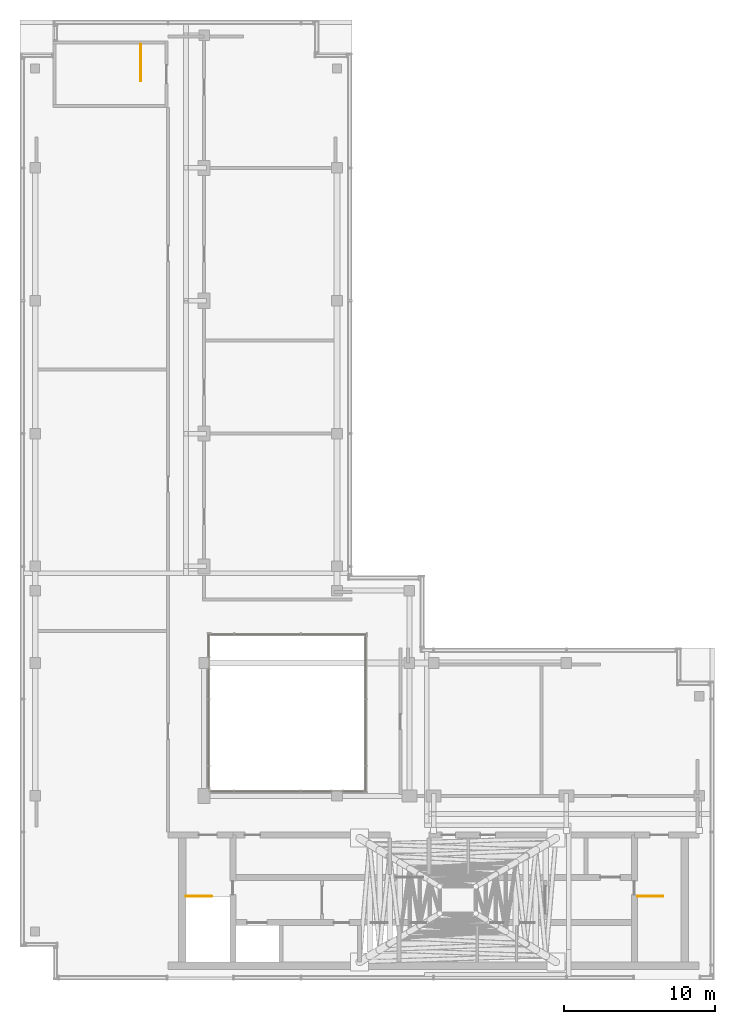
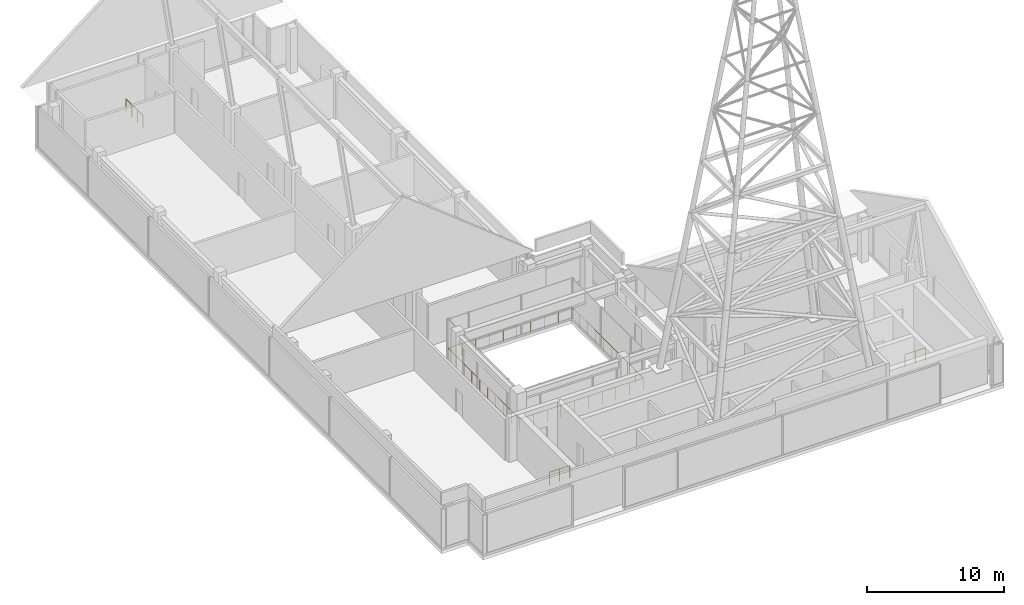
# One storey, part 13 of 13: 4 railings.
"""IFC4 building model written with IfcOpenShell, lengths in metres."""

from ifc_helpers import new_model, si_unit, direction, frame, origin, origin_2d, place, context, subcontext, project, spatial, circle, extrude, material, type_object, element, save


model = new_model("IFC4")

# Units and contexts
model_context = context("Model", 3, precision=1e-05, world=origin(), true_north=direction((0.0, 1.0)))
body_context = subcontext(model_context, "Body", "Model", "MODEL_VIEW")
ifc_project = project(units=[si_unit("LENGTHUNIT", "METRE"), si_unit("AREAUNIT", "SQUARE_METRE"), si_unit("VOLUMEUNIT", "CUBIC_METRE"), si_unit("PLANEANGLEUNIT", "RADIAN"), si_unit("MASSUNIT", "GRAM", prefix="KILO")], contexts=[model_context])

# Site, building, storey
site_placement = place(None, origin())
site = spatial("IfcSite", under=ifc_project, at=site_placement, CompositionType="ELEMENT")
building_placement = place(site_placement, origin())
building = spatial("IfcBuilding", under=site, at=building_placement, Name="Kemantara Hotel Tower", CompositionType="ELEMENT")
storey_placement = place(building_placement, frame((0.0, 0.0, 330.199951171875)))
storey = spatial("IfcBuildingStorey", under=building, at=storey_placement, Name="L83", CompositionType="ELEMENT", Elevation=330.199951171875)

# Railings
ifc_material = material(Name="Stainless steel balustrade", Category="steel")
railing_type_1 = type_object("IfcRailingType", Name="STAINLESS STEEL GUARD 1100", PredefinedType="GUARDRAIL", material=ifc_material)
railing_1_placement = place(storey_placement, frame((12.5, 12.5, 0.0)))
element("IfcRailing", 1, at=railing_1_placement, inside=storey, type_object=railing_type_1, Name="ATRIUM GUARD", PredefinedType="GUARDRAIL", context=body_context, shape_type="SweptSolid", body=[
    extrude(circle(Radius=0.02392578125, at=origin_2d()), frame((0.0, 0.0, 1.076171875), z_axis=(1.0, 0.0, 0.0), x_axis=(0.0, 1.0, 0.0)), (0.0, 0.0, 1.0), 10.39990234375),
    extrude(circle(Radius=0.02392578125, at=origin_2d()), frame((10.39990234375, 0.0, 1.076171875), z_axis=(0.0, 1.0, 0.0), x_axis=(-1.0, 0.0, 0.0)), (0.0, 0.0, 1.0), 10.39990234375),
    extrude(circle(Radius=0.02392578125, at=origin_2d()), frame((10.39990234375, 10.39990234375, 1.076171875), z_axis=(-1.0, 0.0, 0.0), x_axis=(0.0, -1.0, 0.0)), (0.0, 0.0, 1.0), 10.39990234375),
    extrude(circle(Radius=0.02392578125, at=origin_2d()), frame((0.0, 10.39990234375, 1.076171875), z_axis=(0.0, -1.0, 0.0), x_axis=(1.0, 0.0, 0.0)), (0.0, 0.0, 1.0), 10.39990234375),
    extrude(circle(Radius=0.02099609375, at=origin_2d()), origin(), (0.0, 0.0, 1.0), 1.052001953125),
    extrude(circle(Radius=0.02099609375, at=origin_2d()), frame((1.155517578125, 0.0, 0.0)), (0.0, 0.0, 1.0), 1.052001953125),
    extrude(circle(Radius=0.02099609375, at=origin_2d()), frame((2.31103515625, 0.0, 0.0)), (0.0, 0.0, 1.0), 1.052001953125),
    extrude(circle(Radius=0.02099609375, at=origin_2d()), frame((3.466552734375, 0.0, 0.0)), (0.0, 0.0, 1.0), 1.052001953125),
    extrude(circle(Radius=0.02099609375, at=origin_2d()), frame((4.6220703125, 0.0, 0.0)), (0.0, 0.0, 1.0), 1.052001953125),
    extrude(circle(Radius=0.02099609375, at=origin_2d()), frame((5.77783203125, 0.0, 0.0)), (0.0, 0.0, 1.0), 1.052001953125),
    extrude(circle(Radius=0.02099609375, at=origin_2d()), frame((6.933349609375, 0.0, 0.0)), (0.0, 0.0, 1.0), 1.052001953125),
    extrude(circle(Radius=0.02099609375, at=origin_2d()), frame((8.0888671875, 0.0, 0.0)), (0.0, 0.0, 1.0), 1.052001953125),
    extrude(circle(Radius=0.02099609375, at=origin_2d()), frame((9.244384765625, 0.0, 0.0)), (0.0, 0.0, 1.0), 1.052001953125),
    extrude(circle(Radius=0.02099609375, at=origin_2d()), frame((10.39990234375, 0.0, 0.0)), (0.0, 0.0, 1.0), 1.052001953125),
    extrude(circle(Radius=0.02099609375, at=origin_2d()), frame((10.39990234375, 1.155517578125, 0.0)), (0.0, 0.0, 1.0), 1.052001953125),
    extrude(circle(Radius=0.02099609375, at=origin_2d()), frame((10.39990234375, 2.31103515625, 0.0)), (0.0, 0.0, 1.0), 1.052001953125),
    extrude(circle(Radius=0.02099609375, at=origin_2d()), frame((10.39990234375, 3.466552734375, 0.0)), (0.0, 0.0, 1.0), 1.052001953125),
    extrude(circle(Radius=0.02099609375, at=origin_2d()), frame((10.39990234375, 4.6220703125, 0.0)), (0.0, 0.0, 1.0), 1.052001953125),
    extrude(circle(Radius=0.02099609375, at=origin_2d()), frame((10.39990234375, 5.77783203125, 0.0)), (0.0, 0.0, 1.0), 1.052001953125),
    extrude(circle(Radius=0.02099609375, at=origin_2d()), frame((10.39990234375, 6.933349609375, 0.0)), (0.0, 0.0, 1.0), 1.052001953125),
    extrude(circle(Radius=0.02099609375, at=origin_2d()), frame((10.39990234375, 8.0888671875, 0.0)), (0.0, 0.0, 1.0), 1.052001953125),
    extrude(circle(Radius=0.02099609375, at=origin_2d()), frame((10.39990234375, 9.244384765625, 0.0)), (0.0, 0.0, 1.0), 1.052001953125),
    extrude(circle(Radius=0.02099609375, at=origin_2d()), frame((10.39990234375, 10.39990234375, 0.0)), (0.0, 0.0, 1.0), 1.052001953125),
    extrude(circle(Radius=0.02099609375, at=origin_2d()), frame((9.244384765625, 10.39990234375, 0.0)), (0.0, 0.0, 1.0), 1.052001953125),
    extrude(circle(Radius=0.02099609375, at=origin_2d()), frame((8.0888671875, 10.39990234375, 0.0)), (0.0, 0.0, 1.0), 1.052001953125),
    extrude(circle(Radius=0.02099609375, at=origin_2d()), frame((6.933349609375, 10.39990234375, 0.0)), (0.0, 0.0, 1.0), 1.052001953125),
    extrude(circle(Radius=0.02099609375, at=origin_2d()), frame((5.77783203125, 10.39990234375, 0.0)), (0.0, 0.0, 1.0), 1.052001953125),
    extrude(circle(Radius=0.02099609375, at=origin_2d()), frame((4.6220703125, 10.39990234375, 0.0)), (0.0, 0.0, 1.0), 1.052001953125),
    extrude(circle(Radius=0.02099609375, at=origin_2d()), frame((3.466552734375, 10.39990234375, 0.0)), (0.0, 0.0, 1.0), 1.052001953125),
    extrude(circle(Radius=0.02099609375, at=origin_2d()), frame((2.31103515625, 10.39990234375, 0.0)), (0.0, 0.0, 1.0), 1.052001953125),
    extrude(circle(Radius=0.02099609375, at=origin_2d()), frame((1.155517578125, 10.39990234375, 0.0)), (0.0, 0.0, 1.0), 1.052001953125),
    extrude(circle(Radius=0.02099609375, at=origin_2d()), frame((0.0, 10.39990234375, 0.0)), (0.0, 0.0, 1.0), 1.052001953125),
    extrude(circle(Radius=0.02099609375, at=origin_2d()), frame((0.0, 9.244384765625, 0.0)), (0.0, 0.0, 1.0), 1.052001953125),
    extrude(circle(Radius=0.02099609375, at=origin_2d()), frame((0.0, 8.0888671875, 0.0)), (0.0, 0.0, 1.0), 1.052001953125),
    extrude(circle(Radius=0.02099609375, at=origin_2d()), frame((0.0, 6.933349609375, 0.0)), (0.0, 0.0, 1.0), 1.052001953125),
    extrude(circle(Radius=0.02099609375, at=origin_2d()), frame((0.0, 5.77783203125, 0.0)), (0.0, 0.0, 1.0), 1.052001953125),
    extrude(circle(Radius=0.02099609375, at=origin_2d()), frame((0.0, 4.6220703125, 0.0)), (0.0, 0.0, 1.0), 1.052001953125),
    extrude(circle(Radius=0.02099609375, at=origin_2d()), frame((0.0, 3.466552734375, 0.0)), (0.0, 0.0, 1.0), 1.052001953125),
    extrude(circle(Radius=0.02099609375, at=origin_2d()), frame((0.0, 2.31103515625, 0.0)), (0.0, 0.0, 1.0), 1.052001953125),
    extrude(circle(Radius=0.02099609375, at=origin_2d()), frame((0.0, 1.155517578125, 0.0)), (0.0, 0.0, 1.0), 1.052001953125),
])
railing_type_2 = type_object("IfcRailingType", Name="Stair guard 1100 mm", PredefinedType="GUARDRAIL", material=ifc_material)
railing_2_placement = place(storey_placement, frame((11.0, 5.550048828125, 0.0)))
element("IfcRailing", 2, at=railing_2_placement, inside=storey, type_object=railing_type_2, Name="L83 ST1 top well guard 1", PredefinedType="GUARDRAIL", context=body_context, shape_type="SweptSolid", body=[
    extrude(circle(Radius=0.02392578125, at=origin_2d()), frame((0.0, 0.0, 1.076171875), z_axis=(1.0, 0.0, 0.0), x_axis=(0.0, 1.0, 0.0)), (0.0, 0.0, 1.0), 1.699951171875),
    extrude(circle(Radius=0.02099609375, at=origin_2d()), origin(), (0.0, 0.0, 1.0), 1.052001953125),
    extrude(circle(Radius=0.02099609375, at=origin_2d()), frame((0.85009765625, 0.0, 0.0)), (0.0, 0.0, 1.0), 1.052001953125),
    extrude(circle(Radius=0.02099609375, at=origin_2d()), frame((1.699951171875, 0.0, 0.0)), (0.0, 0.0, 1.0), 1.052001953125),
])
railing_3_placement = place(storey_placement, frame((40.89990234375, 5.550048828125, 0.0)))
element("IfcRailing", 3, at=railing_3_placement, inside=storey, type_object=railing_type_2, Name="L83 ST2 top well guard 1", PredefinedType="GUARDRAIL", context=body_context, shape_type="SweptSolid", body=[
    extrude(circle(Radius=0.02392578125, at=origin_2d()), frame((0.0, 0.0, 1.076171875), z_axis=(1.0, 0.0, 0.0), x_axis=(0.0, 1.0, 0.0)), (0.0, 0.0, 1.0), 1.7001953125),
    extrude(circle(Radius=0.02099609375, at=origin_2d()), origin(), (0.0, 0.0, 1.0), 1.052001953125),
    extrude(circle(Radius=0.02099609375, at=origin_2d()), frame((0.85009765625, 0.0, 0.0)), (0.0, 0.0, 1.0), 1.052001953125),
    extrude(circle(Radius=0.02099609375, at=origin_2d()), frame((1.7001953125, 0.0, 0.0)), (0.0, 0.0, 1.0), 1.052001953125),
])
railing_4_placement = place(storey_placement, frame((8.0, 62.0, 0.0)))
element("IfcRailing", 4, at=railing_4_placement, inside=storey, type_object=railing_type_2, Name="L83 ST4 top well guard 1", PredefinedType="GUARDRAIL", context=body_context, shape_type="SweptSolid", body=[
    extrude(circle(Radius=0.02392578125, at=origin_2d()), frame((0.0, 0.0, 1.076171875), z_axis=(0.0, -1.0, 0.0), x_axis=(1.0, 0.0, 0.0)), (0.0, 0.0, 1.0), 2.449951171875),
    extrude(circle(Radius=0.02099609375, at=origin_2d()), origin(), (0.0, 0.0, 1.0), 1.052001953125),
    extrude(circle(Radius=0.02099609375, at=origin_2d()), frame((0.0, -0.816650390625, 0.0)), (0.0, 0.0, 1.0), 1.052001953125),
    extrude(circle(Radius=0.02099609375, at=origin_2d()), frame((0.0, -1.63330078125, 0.0)), (0.0, 0.0, 1.0), 1.052001953125),
    extrude(circle(Radius=0.02099609375, at=origin_2d()), frame((0.0, -2.449951171875, 0.0)), (0.0, 0.0, 1.0), 1.052001953125),
])

save(model, "model.ifc")
